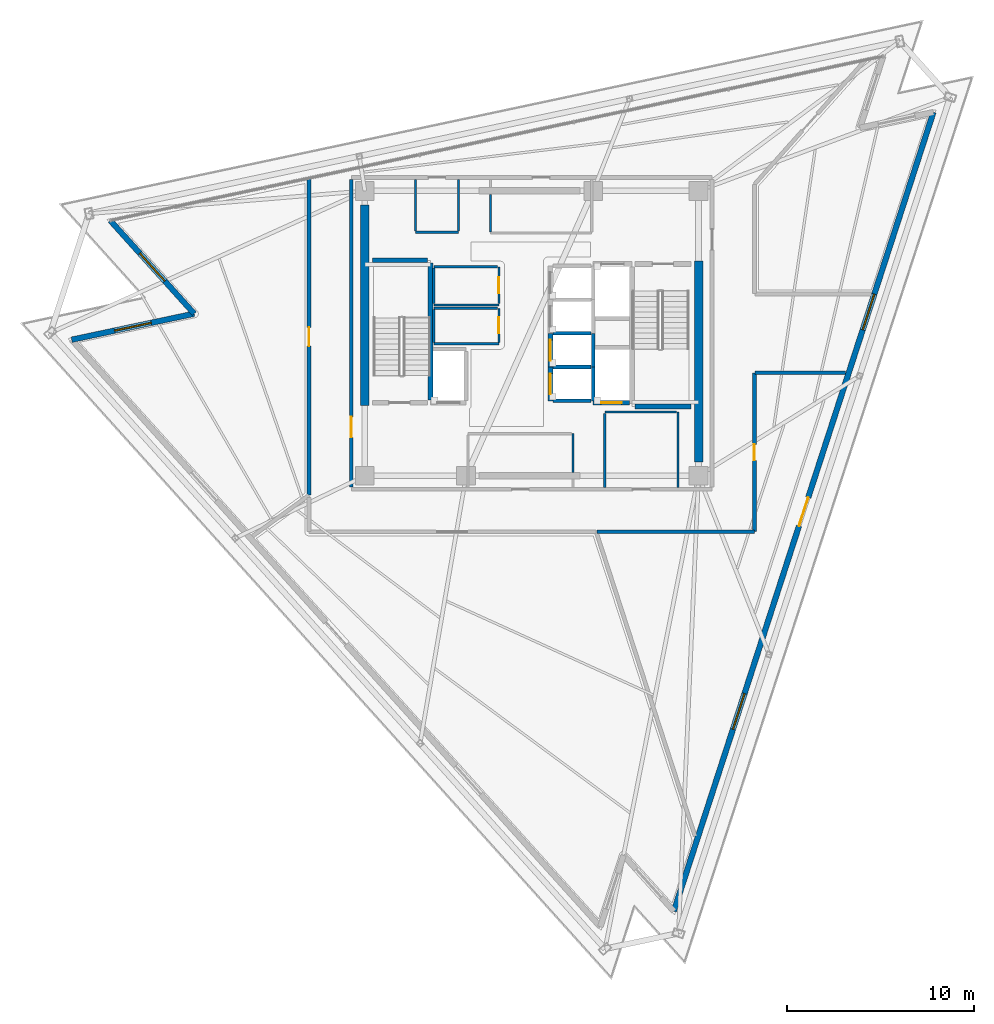
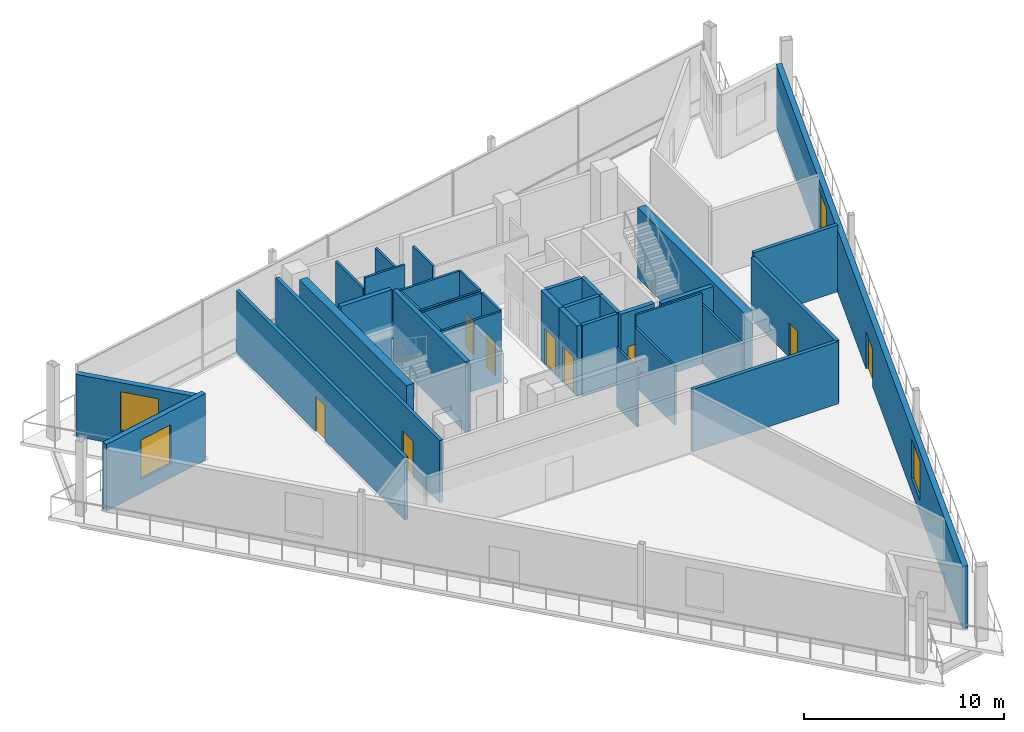
# One storey, part 7 of 11: 37 walls, 9 doors, 4 windows, 13 openings.
"""IFC4 building model written with IfcOpenShell, lengths in metres."""

import ifcopenshell
import ifcopenshell.guid

model = None  # the IFC model being written
_history = None  # IfcOwnerHistory: only IFC2X3 demands one
_inside = {}  # id of a spatial element -> (the spatial element, [elements in it])
_under = {}  # id of a project, library or spatial element -> (it, [spatial elements below it])
_declared = {}  # id of a project -> (the project, [libraries it declares])
_typed = {}  # id of a type object -> (the type object, [elements of that type])
_made_of = {}  # id of a material, layer set ... -> (it, [elements and type objects made of it])


def new_model(schema):
    """Start an empty IFC model of exactly this schema.

    Asked for "IFC4X3", IfcOpenShell would pick the latest addendum, in which some entities
    have other attributes; the version numbers below select the first issue.
    IFC2X3 requires an IfcOwnerHistory on every rooted entity: one is made here for all.
    """
    global model, _history
    if schema == "IFC4X3":
        model = ifcopenshell.file(schema_version=(4, 3, 0, 0))
    else:
        model = ifcopenshell.file(schema=schema)
    _inside.clear()
    _under.clear()
    _declared.clear()
    _typed.clear()
    _made_of.clear()
    _history = None
    if model.schema == "IFC2X3":
        org = make("IfcOrganization", Name="unknown")
        user = make(
            "IfcPersonAndOrganization",
            ThePerson=make("IfcPerson", FamilyName="unknown"),
            TheOrganization=org,
        )
        app = make(
            "IfcApplication",
            ApplicationDeveloper=org,
            Version="unknown",
            ApplicationFullName="unknown",
            ApplicationIdentifier="unknown",
        )
        _history = make(
            "IfcOwnerHistory",
            OwningUser=user,
            OwningApplication=app,
            ChangeAction="ADDED",
            CreationDate=0,
        )
    return model


def make(cls, **values):
    """One entity of the class cls with the attributes given. An attribute that is None is left unset."""
    return model.create_entity(
        cls, **{name: value for name, value in values.items() if value is not None}
    )


def rooted(cls, **values):
    """An entity with a GlobalId (a new one), such as an element, a storey or a relation."""
    return make(cls, GlobalId=ifcopenshell.guid.new(), OwnerHistory=_history, **values)


def si_unit(unit_type, name, prefix=None):
    """IfcSIUnit, for example si_unit("LENGTHUNIT", "METRE", prefix="MILLI")."""
    return make("IfcSIUnit", UnitType=unit_type, Prefix=prefix, Name=name)


def assignment(units):
    """IfcUnitAssignment: the units of a project."""
    return None if units is None else make("IfcUnitAssignment", Units=units)


def point(xyz):
    """IfcCartesianPoint."""
    return None if xyz is None else make("IfcCartesianPoint", Coordinates=xyz)


def direction(xyz):
    """IfcDirection."""
    return None if xyz is None else make("IfcDirection", DirectionRatios=xyz)


def frame(location, z_axis=None, x_axis=None):
    """IfcAxis2Placement3D, a coordinate frame: its origin and axes. An axis left out is left unset."""
    return make(
        "IfcAxis2Placement3D",
        Location=point(location),
        Axis=direction(z_axis),
        RefDirection=direction(x_axis),
    )


def frame_2d(location, x_axis=None):
    """IfcAxis2Placement2D, a coordinate frame in the plane: its origin and x axis."""
    return make(
        "IfcAxis2Placement2D", Location=point(location), RefDirection=direction(x_axis)
    )


def origin():
    """The frame at (0, 0, 0) with its axes left unset."""
    return frame((0.0, 0.0, 0.0))


def place(relative_to, where):
    """IfcLocalPlacement: puts the frame where relative to a parent placement (None: the world)."""
    return make(
        "IfcLocalPlacement", PlacementRelTo=relative_to, RelativePlacement=where
    )


def context(
    kind, dimensions, precision=None, world=None, true_north=None, identifier=None
):
    """IfcGeometricRepresentationContext, for example the 3D "Model" context."""
    return make(
        "IfcGeometricRepresentationContext",
        ContextIdentifier=identifier,
        ContextType=kind,
        CoordinateSpaceDimension=dimensions,
        Precision=precision,
        WorldCoordinateSystem=world,
        TrueNorth=true_north,
    )


def subcontext(parent, identifier, kind, view, scale=None):
    """IfcGeometricRepresentationSubContext, for example "Body" below "Model"."""
    return make(
        "IfcGeometricRepresentationSubContext",
        ContextIdentifier=identifier,
        ContextType=kind,
        ParentContext=parent,
        TargetScale=scale,
        TargetView=view,
    )


def project(units=None, contexts=None):
    """IfcProject with its units and contexts."""
    return rooted(
        "IfcProject",
        Name="project",
        RepresentationContexts=contexts,
        UnitsInContext=assignment(units),
    )


def spatial(cls, under=None, at=None, **own):
    """A site, building, storey or space (cls), placed at a placement, below another one or the project."""
    s = rooted(cls, ObjectPlacement=at, **own)
    if under is not None:
        _under.setdefault(under.id(), (under, []))[1].append(s)
    return s


def profile(cls, at=None, kind="AREA", **sizes):
    """A parametric profile (cls). Its sizes go by their IFC names, for example OverallWidth=200.0."""
    return make(cls, ProfileType=kind, Position=at, **sizes)


def rectangle(**sizes):
    """IfcRectangleProfileDef."""
    return profile("IfcRectangleProfileDef", **sizes)


def extrude(swept, where, along, depth):
    """IfcExtrudedAreaSolid: the profile swept, set in the frame where, extruded along a direction by depth."""
    return make(
        "IfcExtrudedAreaSolid",
        SweptArea=swept,
        Position=where,
        ExtrudedDirection=direction(along),
        Depth=depth,
    )


def shape(context_of_items, identifier, shape_type, items):
    """IfcShapeRepresentation: the items that make up one representation, for example the "Body"."""
    return make(
        "IfcShapeRepresentation",
        ContextOfItems=context_of_items,
        RepresentationIdentifier=identifier,
        RepresentationType=shape_type,
        Items=items,
    )


def material(Name=None, Category=None):
    """IfcMaterial."""
    return make("IfcMaterial", Name=Name, Category=Category)


def layer(
    of_material, thickness, ventilated=None, Name=None, Category=None, Priority=None
):
    """IfcMaterialLayer: one layer of a wall or slab, of a material (None: an air gap)."""
    return make(
        "IfcMaterialLayer",
        Material=of_material,
        LayerThickness=thickness,
        IsVentilated=ventilated,
        Name=Name,
        Category=Category,
        Priority=Priority,
    )


def layer_set(layers, Name=None):
    """IfcMaterialLayerSet."""
    return make("IfcMaterialLayerSet", MaterialLayers=layers, LayerSetName=Name)


def made_of(thing, what):
    """Note that an element or type object is made of a material, layer set ...; save() writes the relation."""
    if what is not None:
        _made_of.setdefault(what.id(), (what, []))[1].append(thing)
    return thing


def type_object(cls, material=None, **own):
    """A type object (cls), such as IfcWallType, which elements share."""
    return made_of(rooted(cls, **own), material)


def element(
    cls,
    number,
    at=None,
    inside=None,
    cuts=None,
    type_object=None,
    material=None,
    context=None,
    identifier="Body",
    shape_type=None,
    held_by="IfcProductDefinitionShape",
    body=None,
    shapes=None,
    **own,
):
    """One element of the class cls, such as IfcWall. Its Tag is "e" and its number.

    at: its placement. inside: the storey or other place that contains it. cuts: it is an
    opening in that element (IfcRelVoidsElement). A single representation is given by context,
    identifier, shape_type and body (its items); several are given by shapes. held_by: the class
    of the entity that holds the representations. save() writes the other relations.
    """
    e = rooted(cls, Tag="e%d" % number, ObjectPlacement=at, **own)
    if body is not None:
        shapes = [shape(context, identifier, shape_type, body)]
    if shapes is not None:
        e.Representation = make(held_by, Representations=shapes)
    if inside is not None:
        _inside.setdefault(inside.id(), (inside, []))[1].append(e)
    if cuts is not None:
        rooted(
            "IfcRelVoidsElement", RelatingBuildingElement=cuts, RelatedOpeningElement=e
        )
    if type_object is not None:
        _typed.setdefault(type_object.id(), (type_object, []))[1].append(e)
    return made_of(e, material)


def fill(opening, filler):
    """IfcRelFillsElement: the door or window that sits in an opening."""
    return rooted(
        "IfcRelFillsElement",
        RelatingOpeningElement=opening,
        RelatedBuildingElement=filler,
    )


def aggregate(whole, parts):
    """IfcRelAggregates: a whole, such as a stair, and the parts it consists of."""
    return rooted("IfcRelAggregates", RelatingObject=whole, RelatedObjects=parts)


def save(model, path):
    """Write the relations noted so far, then the file.

    IfcRelAggregates (storeys below a building ...), IfcRelContainedInSpatialStructure (elements
    in a storey), IfcRelDefinesByType, IfcRelAssociatesMaterial and IfcRelDeclares: one each for
    every whole, place, type object, material and project.
    """
    for whole, parts in _under.values():
        aggregate(whole, parts)
    for where, things in _inside.values():
        rooted(
            "IfcRelContainedInSpatialStructure",
            RelatedElements=things,
            RelatingStructure=where,
        )
    for kind, things in _typed.values():
        rooted("IfcRelDefinesByType", RelatedObjects=things, RelatingType=kind)
    for what, things in _made_of.values():
        rooted("IfcRelAssociatesMaterial", RelatedObjects=things, RelatingMaterial=what)
    for by, libraries in _declared.values():
        rooted("IfcRelDeclares", RelatingContext=by, RelatedDefinitions=libraries)
    model.write(path)


model = new_model("IFC4")

# Units and contexts
model_context = context("Model", 3, precision=1e-05, world=origin(), true_north=direction((0.0, 1.0)))
body_context = subcontext(model_context, "Body", "Model", "MODEL_VIEW")
ifc_project = project(units=[si_unit("LENGTHUNIT", "METRE"), si_unit("AREAUNIT", "SQUARE_METRE"), si_unit("VOLUMEUNIT", "CUBIC_METRE"), si_unit("PLANEANGLEUNIT", "RADIAN"), si_unit("MASSUNIT", "GRAM", prefix="KILO")], contexts=[model_context])

# Site, building, storey
site_placement = place(None, origin())
site = spatial("IfcSite", under=ifc_project, at=site_placement, CompositionType="ELEMENT")
building_placement = place(site_placement, origin())
building = spatial("IfcBuilding", under=site, at=building_placement, Name="Tharavind Bronze Gate", CompositionType="ELEMENT")
storey_placement = place(building_placement, frame((0.0, 0.0, 306.300048828125)))
storey = spatial("IfcBuildingStorey", under=building, at=storey_placement, Name="L79", CompositionType="ELEMENT", Elevation=306.300048828125)

# Wall, opening, window
ifc_material_1 = material(Name="Concrete C40/50", Category="concrete")
ifc_layer_1 = layer(ifc_material_1, 0.300048828125)
ifc_layer_set_1 = layer_set([ifc_layer_1], Name="Concrete C40/50")
wall_type_1 = type_object("IfcWallType", Name="EXTERIOR SPANDREL WALL 300", PredefinedType="STANDARD", material=ifc_layer_set_1)
wall_1_placement = place(storey_placement, frame((-22.47314453125, 6.013916015625, 0.0), z_axis=(0.0, 0.0, 1.0), x_axis=(0.669114139384, -0.743159652078, 0.0)))
wall_1 = element("IfcWall", 1, at=wall_1_placement, inside=storey, type_object=wall_type_1, Name="L79 notch cheek wall 1A", PredefinedType="STANDARD", context=body_context, shape_type="SweptSolid", body=[
    extrude(rectangle(XDim=6.68017578125, YDim=0.300048828125, at=frame_2d((3.340087890625, 0.0))), origin(), (0.0, 0.0, 1.0), 3.804931640625),
])
opening_1_placement = place(wall_1_placement, frame((2.340087890625, 0.0, 0.85009765625)))
opening_1 = element("IfcOpeningElement", 2, at=opening_1_placement, cuts=wall_1, Name="Opening W06", PredefinedType="OPENING", context=body_context, shape_type="SweptSolid", body=[
    extrude(rectangle(XDim=2.0, YDim=2.39990234375, at=frame_2d((1.0, 1.199951171875))), frame((0.0, 0.15990234375, 0.0), z_axis=(0.0, -1.0, 0.0), x_axis=(1.0, 0.0, 0.0)), (0.0, 0.0, 1.0), 0.320048828125),
])
ifc_material_2 = material(Name="Bronze Aluminium & Low-E Glass", Category="aluminium")
window_type = type_object("IfcWindowType", Name="CROWN OBSERVATORY WINDOW 2000X2400", PartitioningType="DOUBLE_PANEL_VERTICAL", PredefinedType="WINDOW", material=ifc_material_2)
window_1_placement = place(opening_1_placement, origin())
window_1 = element("IfcWindow", 3, at=window_1_placement, inside=storey, type_object=window_type, Name="L79 exterior window WL-L79-NCA1-01", OverallHeight=2.39990234375, OverallWidth=2.0, PartitioningType="SINGLE_PANEL", PredefinedType="WINDOW", context=body_context, shape_type="SweptSolid", body=[
    extrude(rectangle(XDim=2.0, YDim=2.39990234375, at=frame_2d((1.0, 1.199951171875))), frame((0.0, 0.030029296875, 0.0), z_axis=(0.0, -1.0, 0.0), x_axis=(1.0, 0.0, 0.0)), (0.0, 0.0, 1.0), 0.06005859375),
])
fill(opening_1, window_1)

wall_2_placement = place(storey_placement, frame((-18.00341796875, 1.049560546875, 0.0), z_axis=(0.0, 0.0, 1.0), x_axis=(-0.978152441183, -0.207888916992, 0.0)))
wall_2 = element("IfcWall", 4, at=wall_2_placement, inside=storey, type_object=wall_type_1, Name="L79 notch cheek wall 1B", PredefinedType="STANDARD", context=body_context, shape_type="SweptSolid", body=[
    extrude(rectangle(XDim=6.679931640625, YDim=0.300048828125, at=frame_2d((3.33984375, 0.0))), origin(), (0.0, 0.0, 1.0), 4.06494140625),
])
opening_2_placement = place(wall_2_placement, frame((2.340087890625, 0.0, 0.85009765625)))
opening_2 = element("IfcOpeningElement", 5, at=opening_2_placement, cuts=wall_2, Name="Opening W06", PredefinedType="OPENING", context=body_context, shape_type="SweptSolid", body=[
    extrude(rectangle(XDim=2.0, YDim=2.39990234375, at=frame_2d((1.0, 1.199951171875))), frame((0.0, 0.15990234375, 0.0), z_axis=(0.0, -1.0, 0.0), x_axis=(1.0, 0.0, 0.0)), (0.0, 0.0, 1.0), 0.320048828125),
])
window_2_placement = place(opening_2_placement, origin())
window_2 = element("IfcWindow", 6, at=window_2_placement, inside=storey, type_object=window_type, Name="L79 exterior window WL-L79-NCB1-01", OverallHeight=2.39990234375, OverallWidth=2.0, PartitioningType="SINGLE_PANEL", PredefinedType="WINDOW", context=body_context, shape_type="SweptSolid", body=[
    extrude(rectangle(XDim=2.0, YDim=2.39990234375, at=frame_2d((1.0, 1.199951171875))), frame((0.0, 0.030029296875, 0.0), z_axis=(0.0, -1.0, 0.0), x_axis=(1.0, 0.0, 0.0)), (0.0, 0.0, 1.0), 0.06005859375),
])
fill(opening_2, window_2)

# Wall, openings, windows, door
wall_3_placement = place(storey_placement, frame((7.579833984375, -30.82177734375, 0.0), z_axis=(0.0, 0.0, 1.0), x_axis=(0.309018932156, 0.95105588667, 0.0)))
wall_3 = element("IfcWall", 7, at=wall_3_placement, inside=storey, type_object=wall_type_1, Name="L79 observation deck portal wall 2", PredefinedType="STANDARD", context=body_context, shape_type="SweptSolid", body=[
    extrude(rectangle(XDim=44.811767578125, YDim=0.300048828125, at=frame_2d((22.40576171875, 0.0))), origin(), (0.0, 0.0, 1.0), 3.804931640625),
])
opening_3_placement = place(wall_3_placement, frame((21.60595703125, 0.0, 0.0)))
opening_3 = element("IfcOpeningElement", 8, at=opening_3_placement, cuts=wall_3, Name="Opening ED05", PredefinedType="OPENING", context=body_context, shape_type="SweptSolid", body=[
    extrude(rectangle(XDim=1.60009765625, YDim=2.300048828125, at=frame_2d((0.800048828125, 1.14990234375))), frame((0.0, 0.15990234375, 0.0), z_axis=(0.0, -1.0, 0.0), x_axis=(1.0, 0.0, 0.0)), (0.0, 0.0, 1.0), 0.320048828125),
])
opening_4_placement = place(wall_3_placement, frame((10.202880859375, 0.0, 0.85009765625)))
opening_4 = element("IfcOpeningElement", 9, at=opening_4_placement, cuts=wall_3, Name="Opening W06", PredefinedType="OPENING", context=body_context, shape_type="SweptSolid", body=[
    extrude(rectangle(XDim=2.0, YDim=2.39990234375, at=frame_2d((1.0, 1.199951171875))), frame((0.0, 0.15990234375, 0.0), z_axis=(0.0, -1.0, 0.0), x_axis=(1.0, 0.0, 0.0)), (0.0, 0.0, 1.0), 0.320048828125),
])
opening_5_placement = place(wall_3_placement, frame((32.60888671875, 0.0, 0.85009765625)))
opening_5 = element("IfcOpeningElement", 10, at=opening_5_placement, cuts=wall_3, Name="Opening W06", PredefinedType="OPENING", context=body_context, shape_type="SweptSolid", body=[
    extrude(rectangle(XDim=2.0, YDim=2.39990234375, at=frame_2d((1.0, 1.199951171875))), frame((0.0, 0.15990234375, 0.0), z_axis=(0.0, -1.0, 0.0), x_axis=(1.0, 0.0, 0.0)), (0.0, 0.0, 1.0), 0.320048828125),
])
window_3_placement = place(opening_4_placement, origin())
window_3 = element("IfcWindow", 11, at=window_3_placement, inside=storey, type_object=window_type, Name="L79 exterior window WL-L79-OBS2-01", OverallHeight=2.39990234375, OverallWidth=2.0, PartitioningType="SINGLE_PANEL", PredefinedType="WINDOW", context=body_context, shape_type="SweptSolid", body=[
    extrude(rectangle(XDim=2.0, YDim=2.39990234375, at=frame_2d((1.0, 1.199951171875))), frame((0.0, 0.030029296875, 0.0), z_axis=(0.0, -1.0, 0.0), x_axis=(1.0, 0.0, 0.0)), (0.0, 0.0, 1.0), 0.06005859375),
])
fill(opening_4, window_3)
window_4_placement = place(opening_5_placement, origin())
window_4 = element("IfcWindow", 12, at=window_4_placement, inside=storey, type_object=window_type, Name="L79 exterior window WL-L79-OBS2-03", OverallHeight=2.39990234375, OverallWidth=2.0, PartitioningType="SINGLE_PANEL", PredefinedType="WINDOW", context=body_context, shape_type="SweptSolid", body=[
    extrude(rectangle(XDim=2.0, YDim=2.39990234375, at=frame_2d((1.0, 1.199951171875))), frame((0.0, 0.030029296875, 0.0), z_axis=(0.0, -1.0, 0.0), x_axis=(1.0, 0.0, 0.0)), (0.0, 0.0, 1.0), 0.06005859375),
])
fill(opening_5, window_4)
ifc_material_3 = material(Name="Bronze Aluminium & Toughened Glass", Category="aluminium")
door_type_1 = type_object("IfcDoorType", Name="OBSERVATION DECK GLAZED DOOR 1600X2300", OperationType="DOUBLE_DOOR_SINGLE_SWING", PredefinedType="DOOR", material=ifc_material_3)
door_1_placement = place(opening_3_placement, frame((1.60009765625, 0.0, 0.0), z_axis=(0.0, 0.0, 1.0), x_axis=(-1.0, 0.0, 0.0)))
door_1 = element("IfcDoor", 13, at=door_1_placement, inside=storey, type_object=door_type_1, Name="L79 open-air observation deck exit door 2", OperationType="DOUBLE_DOOR_SINGLE_SWING", OverallHeight=2.300048828125, OverallWidth=1.60009765625, PredefinedType="DOOR", context=body_context, shape_type="SweptSolid", body=[
    extrude(rectangle(XDim=1.60009765625, YDim=2.300048828125, at=frame_2d((0.800048828125, 1.14990234375))), frame((0.0, 0.02490234375, 0.0), z_axis=(0.0, -1.0, 0.0), x_axis=(1.0, 0.0, 0.0)), (0.0, 0.0, 1.0), 0.050048828125),
])
fill(opening_3, door_1)

# Wall, opening, door
ifc_material_4 = material(Name="Aerated Concrete Block", Category="concrete")
ifc_layer_2 = layer(ifc_material_4, 0.199951171875)
ifc_layer_set_2 = layer_set([ifc_layer_2], Name="Aerated Concrete Block")
wall_type_2 = type_object("IfcWallType", Name="FIRE RATED PARTITION 200", PredefinedType="PARTITIONING", material=ifc_layer_set_2)
wall_4_placement = place(storey_placement, frame((-9.6201171875, 8.199951171875, 0.0), z_axis=(0.0, 0.0, 1.0), x_axis=(0.0, -1.0, 0.0)))
wall_4 = element("IfcWall", 14, at=wall_4_placement, inside=storey, type_object=wall_type_2, Name="L79 west core corridor wall", PredefinedType="PARTITIONING", context=body_context, shape_type="SweptSolid", body=[
    extrude(rectangle(XDim=16.39990234375, YDim=0.199951171875, at=frame_2d((8.199951171875, 0.0))), origin(), (0.0, 0.0, 1.0), 3.804931640625),
])
opening_6_placement = place(wall_4_placement, frame((12.64990234375, 0.0, 0.0)))
opening_6 = element("IfcOpeningElement", 15, at=opening_6_placement, cuts=wall_4, Name="Opening ID01", PredefinedType="OPENING", context=body_context, shape_type="SweptSolid", body=[
    extrude(rectangle(XDim=1.10009765625, YDim=2.14990234375, at=frame_2d((0.550048828125, 1.074951171875))), frame((0.0, 0.11009765625, 0.0), z_axis=(0.0, -1.0, 0.0), x_axis=(1.0, 0.0, 0.0)), (0.0, 0.0, 1.0), 0.219951171875),
])
ifc_material_5 = material(Name="Fire-Rated Steel", Category="steel")
door_type_2 = type_object("IfcDoorType", Name="STAIR CORE FIRE DOOR 1100X2150", OperationType="SINGLE_SWING_LEFT", PredefinedType="DOOR", material=ifc_material_5)
door_2_placement = place(opening_6_placement, frame((1.10009765625, 0.0, 0.0), z_axis=(0.0, 0.0, 1.0), x_axis=(-1.0, 0.0, 0.0)))
door_2 = element("IfcDoor", 16, at=door_2_placement, inside=storey, type_object=door_type_2, Name="L79 south west stair lobby fire door", OperationType="SINGLE_SWING_LEFT", OverallHeight=2.14990234375, OverallWidth=1.10009765625, PredefinedType="DOOR", context=body_context, shape_type="SweptSolid", body=[
    extrude(rectangle(XDim=1.10009765625, YDim=2.14990234375, at=frame_2d((0.550048828125, 1.074951171875))), frame((0.0, 0.02490234375, 0.0), z_axis=(0.0, -1.0, 0.0), x_axis=(1.0, 0.0, 0.0)), (0.0, 0.0, 1.0), 0.050048828125),
])
fill(opening_6, door_2)

# Wall
wall_5_placement = place(storey_placement, frame((3.47216796875, -10.580078125, 0.0), z_axis=(0.0, 0.0, 1.0), x_axis=(1.0, 0.0, 0.0)))
element("IfcWall", 17, at=wall_5_placement, inside=storey, type_object=wall_type_2, Name="L79 Public Restrooms Block partition", PredefinedType="PARTITIONING", context=body_context, shape_type="SweptSolid", body=[
    extrude(rectangle(XDim=8.4072265625, YDim=0.199951171875, at=frame_2d((4.20361328125, 0.0))), origin(), (0.0, 0.0, 1.0), 3.804931640625),
])

# Wall, opening, door
wall_6_placement = place(storey_placement, frame((11.8798828125, -10.579345703125, 0.0), z_axis=(0.0, 0.0, 1.0), x_axis=(0.0, 1.0, 0.0)))
wall_6 = element("IfcWall", 18, at=wall_6_placement, inside=storey, type_object=wall_type_2, Name="L79 Public Restrooms Block partition", PredefinedType="PARTITIONING", context=body_context, shape_type="SweptSolid", body=[
    extrude(rectangle(XDim=8.454345703125, YDim=0.199951171875, at=frame_2d((4.22705078125, 0.0))), origin(), (0.0, 0.0, 1.0), 3.804931640625),
])
opening_7_placement = place(wall_6_placement, frame((3.802001953125, 0.0, 0.0)))
opening_7 = element("IfcOpeningElement", 19, at=opening_7_placement, cuts=wall_6, Name="Opening ID06", PredefinedType="OPENING", context=body_context, shape_type="SweptSolid", body=[
    extrude(rectangle(XDim=0.85009765625, YDim=2.10009765625, at=frame_2d((0.425048828125, 1.050048828125))), frame((0.0, 0.11009765625, 0.0), z_axis=(0.0, -1.0, 0.0), x_axis=(1.0, 0.0, 0.0)), (0.0, 0.0, 1.0), 0.219951171875),
])
ifc_material_6 = material(Name="Moisture-Resistant Timber", Category="wood")
door_type_3 = type_object("IfcDoorType", Name="BATHROOM PRIVACY DOOR 850X2100", OperationType="SINGLE_SWING_RIGHT", PredefinedType="DOOR", material=ifc_material_6)
door_3_placement = place(opening_7_placement, origin())
door_3 = element("IfcDoor", 20, at=door_3_placement, inside=storey, type_object=door_type_3, Name="L79 Public Restrooms Block door", OperationType="SINGLE_SWING_RIGHT", OverallHeight=2.10009765625, OverallWidth=0.85009765625, PredefinedType="DOOR", context=body_context, shape_type="SweptSolid", body=[
    extrude(rectangle(XDim=0.85009765625, YDim=2.10009765625, at=frame_2d((0.425048828125, 1.050048828125))), frame((0.0, 0.02490234375, 0.0), z_axis=(0.0, -1.0, 0.0), x_axis=(1.0, 0.0, 0.0)), (0.0, 0.0, 1.0), 0.050048828125),
])
fill(opening_7, door_3)

# Wall
wall_7_placement = place(storey_placement, frame((11.905029296875, -2.10009765625, 0.0), z_axis=(0.0, 0.0, 1.0), x_axis=(1.0, 0.0, 0.0)))
element("IfcWall", 21, at=wall_7_placement, inside=storey, type_object=wall_type_2, Name="L79 Public Restrooms Block partition", PredefinedType="PARTITIONING", context=body_context, shape_type="SweptSolid", body=[
    extrude(rectangle(XDim=4.843994140625, YDim=0.199951171875, at=frame_2d((2.421875, 0.0))), origin(), (0.0, 0.0, 1.0), 4.06494140625),
])

# Wall, opening, door
wall_8_placement = place(storey_placement, frame((-11.8798828125, 8.265625, 0.0), z_axis=(0.0, 0.0, 1.0), x_axis=(0.0, -1.0, 0.0)))
wall_8 = element("IfcWall", 22, at=wall_8_placement, inside=storey, type_object=wall_type_2, Name="L79 Observatory Management Office partition", PredefinedType="PARTITIONING", context=body_context, shape_type="SweptSolid", body=[
    extrude(rectangle(XDim=16.88427734375, YDim=0.199951171875, at=frame_2d((8.442138671875, 0.0))), origin(), (0.0, 0.0, 1.0), 3.804931640625),
])
opening_8_placement = place(wall_8_placement, frame((7.94189453125, 0.0, 0.0)))
opening_8 = element("IfcOpeningElement", 23, at=opening_8_placement, cuts=wall_8, Name="Opening ID04", PredefinedType="OPENING", context=body_context, shape_type="SweptSolid", body=[
    extrude(rectangle(XDim=1.0, YDim=2.14990234375, at=frame_2d((0.5, 1.074951171875))), frame((0.0, 0.11009765625, 0.0), z_axis=(0.0, -1.0, 0.0), x_axis=(1.0, 0.0, 0.0)), (0.0, 0.0, 1.0), 0.219951171875),
])
ifc_material_7 = material(Name="Bronze Framed Acoustic Timber", Category="wood")
door_type_4 = type_object("IfcDoorType", Name="OFFICE TENANCY DOOR 1000X2150", OperationType="SINGLE_SWING_RIGHT", PredefinedType="DOOR", material=ifc_material_7)
door_4_placement = place(opening_8_placement, origin())
door_4 = element("IfcDoor", 24, at=door_4_placement, inside=storey, type_object=door_type_4, Name="L79 Observatory Management Office door", OperationType="SINGLE_SWING_RIGHT", OverallHeight=2.14990234375, OverallWidth=1.0, PredefinedType="DOOR", context=body_context, shape_type="SweptSolid", body=[
    extrude(rectangle(XDim=1.0, YDim=2.14990234375, at=frame_2d((0.5, 1.074951171875))), frame((0.0, 0.02490234375, 0.0), z_axis=(0.0, -1.0, 0.0), x_axis=(1.0, 0.0, 0.0)), (0.0, 0.0, 1.0), 0.050048828125),
])
fill(opening_8, door_4)

# Wall
ifc_material_8 = material(Name="Metal Stud Gypsum Partition", Category="gypsum")
ifc_layer_3 = layer(ifc_material_8, 0.1201171875)
ifc_layer_set_3 = layer_set([ifc_layer_3], Name="Metal Stud Gypsum Partition")
wall_type_3 = type_object("IfcWallType", Name="INTERIOR PARTITION WALL 120", PredefinedType="PARTITIONING", material=ifc_layer_set_3)
wall_9_placement = place(storey_placement, frame((-5.219970703125, 1.52001953125, 0.0), z_axis=(0.0, 0.0, 1.0), x_axis=(1.0, 0.0, 0.0)))
element("IfcWall", 25, at=wall_9_placement, inside=storey, type_object=wall_type_3, Name="L79 Cleaner Store Room partition 1", PredefinedType="PARTITIONING", context=body_context, shape_type="SweptSolid", body=[
    extrude(rectangle(XDim=3.469970703125, YDim=0.1201171875, at=frame_2d((1.73486328125, 0.0))), origin(), (0.0, 0.0, 1.0), 4.31005859375),
])

# Wall, opening, door
wall_10_placement = place(storey_placement, frame((-1.75, 1.5849609375, 0.0), z_axis=(0.0, 0.0, 1.0), x_axis=(0.0, 1.0, 0.0)))
wall_10 = element("IfcWall", 26, at=wall_10_placement, inside=storey, type_object=wall_type_3, Name="L79 Cleaner Store Room partition 2", PredefinedType="PARTITIONING", context=body_context, shape_type="SweptSolid", body=[
    extrude(rectangle(XDim=1.965087890625, YDim=0.1201171875, at=frame_2d((0.982421875, 0.0))), origin(), (0.0, 0.0, 1.0), 4.31005859375),
])
opening_9_placement = place(wall_10_placement, frame((0.556884765625, 0.0, 0.0)))
opening_9 = element("IfcOpeningElement", 27, at=opening_9_placement, cuts=wall_10, Name="Opening ID06", PredefinedType="OPENING", context=body_context, shape_type="SweptSolid", body=[
    extrude(rectangle(XDim=0.85009765625, YDim=2.10009765625, at=frame_2d((0.425048828125, 1.050048828125))), frame((0.0, 0.07005859375, 0.0), z_axis=(0.0, -1.0, 0.0), x_axis=(1.0, 0.0, 0.0)), (0.0, 0.0, 1.0), 0.1401171875),
])
door_5_placement = place(opening_9_placement, frame((0.85009765625, 0.0, 0.0), z_axis=(0.0, 0.0, 1.0), x_axis=(-1.0, 0.0, 0.0)))
door_5 = element("IfcDoor", 28, at=door_5_placement, inside=storey, type_object=door_type_3, Name="L79 Cleaner Store Room door", OperationType="SINGLE_SWING_RIGHT", OverallHeight=2.10009765625, OverallWidth=0.85009765625, PredefinedType="DOOR", context=body_context, shape_type="SweptSolid", body=[
    extrude(rectangle(XDim=0.85009765625, YDim=2.10009765625, at=frame_2d((0.425048828125, 1.050048828125))), frame((0.0, 0.02490234375, 0.0), z_axis=(0.0, -1.0, 0.0), x_axis=(1.0, 0.0, 0.0)), (0.0, 0.0, 1.0), 0.050048828125),
])
fill(opening_9, door_5)

# Walls
wall_11_placement = place(storey_placement, frame((-1.81494140625, 3.550048828125, 0.0), z_axis=(0.0, 0.0, 1.0), x_axis=(-1.0, 0.0, 0.0)))
element("IfcWall", 29, at=wall_11_placement, inside=storey, type_object=wall_type_3, Name="L79 Cleaner Store Room partition 3", PredefinedType="PARTITIONING", context=body_context, shape_type="SweptSolid", body=[
    extrude(rectangle(XDim=3.405029296875, YDim=0.1201171875, at=frame_2d((1.70263671875, 0.0))), origin(), (0.0, 0.0, 1.0), 4.31005859375),
])
wall_12_placement = place(storey_placement, frame((-5.219970703125, 3.485107421875, 0.0), z_axis=(0.0, 0.0, 1.0), x_axis=(0.0, -1.0, 0.0)))
element("IfcWall", 30, at=wall_12_placement, inside=storey, type_object=wall_type_3, Name="L79 Cleaner Store Room partition 4", PredefinedType="PARTITIONING", context=body_context, shape_type="SweptSolid", body=[
    extrude(rectangle(XDim=1.900146484375, YDim=0.1201171875, at=frame_2d((0.9501953125, 0.0))), origin(), (0.0, 0.0, 1.0), 4.31005859375),
])
wall_13_placement = place(storey_placement, frame((-5.219970703125, -0.550048828125, 0.0), z_axis=(0.0, 0.0, 1.0), x_axis=(1.0, 0.0, 0.0)))
element("IfcWall", 31, at=wall_13_placement, inside=storey, type_object=wall_type_3, Name="L79 Electrical Switch Room partition 1", PredefinedType="PARTITIONING", context=body_context, shape_type="SweptSolid", body=[
    extrude(rectangle(XDim=3.469970703125, YDim=0.1201171875, at=frame_2d((1.73486328125, 0.0))), origin(), (0.0, 0.0, 1.0), 4.31005859375),
])

# Wall, opening, door
wall_14_placement = place(storey_placement, frame((-1.75, -0.485107421875, 0.0), z_axis=(0.0, 0.0, 1.0), x_axis=(0.0, 1.0, 0.0)))
wall_14 = element("IfcWall", 32, at=wall_14_placement, inside=storey, type_object=wall_type_3, Name="L79 Electrical Switch Room partition 2", PredefinedType="PARTITIONING", context=body_context, shape_type="SweptSolid", body=[
    extrude(rectangle(XDim=1.8251953125, YDim=0.1201171875, at=frame_2d((0.91259765625, 0.0))), origin(), (0.0, 0.0, 1.0), 4.31005859375),
])
opening_10_placement = place(wall_14_placement, frame((0.488037109375, 0.0, 0.0)))
opening_10 = element("IfcOpeningElement", 33, at=opening_10_placement, cuts=wall_14, Name="Opening ID06", PredefinedType="OPENING", context=body_context, shape_type="SweptSolid", body=[
    extrude(rectangle(XDim=0.85009765625, YDim=2.10009765625, at=frame_2d((0.425048828125, 1.050048828125))), frame((0.0, 0.07005859375, 0.0), z_axis=(0.0, -1.0, 0.0), x_axis=(1.0, 0.0, 0.0)), (0.0, 0.0, 1.0), 0.1401171875),
])
door_6_placement = place(opening_10_placement, frame((0.85009765625, 0.0, 0.0), z_axis=(0.0, 0.0, 1.0), x_axis=(-1.0, 0.0, 0.0)))
door_6 = element("IfcDoor", 34, at=door_6_placement, inside=storey, type_object=door_type_3, Name="L79 Electrical Switch Room door", OperationType="SINGLE_SWING_RIGHT", OverallHeight=2.10009765625, OverallWidth=0.85009765625, PredefinedType="DOOR", context=body_context, shape_type="SweptSolid", body=[
    extrude(rectangle(XDim=0.85009765625, YDim=2.10009765625, at=frame_2d((0.425048828125, 1.050048828125))), frame((0.0, 0.02490234375, 0.0), z_axis=(0.0, -1.0, 0.0), x_axis=(1.0, 0.0, 0.0)), (0.0, 0.0, 1.0), 0.050048828125),
])
fill(opening_10, door_6)

# Walls
wall_15_placement = place(storey_placement, frame((-1.81494140625, 1.340087890625, 0.0), z_axis=(0.0, 0.0, 1.0), x_axis=(-1.0, 0.0, 0.0)))
element("IfcWall", 35, at=wall_15_placement, inside=storey, type_object=wall_type_3, Name="L79 Electrical Switch Room partition 3", PredefinedType="PARTITIONING", context=body_context, shape_type="SweptSolid", body=[
    extrude(rectangle(XDim=3.405029296875, YDim=0.1201171875, at=frame_2d((1.70263671875, 0.0))), origin(), (0.0, 0.0, 1.0), 4.31005859375),
])
wall_16_placement = place(storey_placement, frame((-5.219970703125, 1.27490234375, 0.0), z_axis=(0.0, 0.0, 1.0), x_axis=(0.0, -1.0, 0.0)))
element("IfcWall", 36, at=wall_16_placement, inside=storey, type_object=wall_type_3, Name="L79 Electrical Switch Room partition 4", PredefinedType="PARTITIONING", context=body_context, shape_type="SweptSolid", body=[
    extrude(rectangle(XDim=1.760009765625, YDim=0.1201171875, at=frame_2d((0.8798828125, 0.0))), origin(), (0.0, 0.0, 1.0), 4.31005859375),
])
wall_17_placement = place(storey_placement, frame((2.199951171875, -7.419921875, 0.0), z_axis=(0.0, 0.0, 1.0), x_axis=(0.0, 1.0, 0.0)))
element("IfcWall", 37, at=wall_17_placement, inside=storey, type_object=wall_type_3, Name="L79 Core BMS Control Room partition 2", PredefinedType="PARTITIONING", context=body_context, shape_type="SweptSolid", body=[
    extrude(rectangle(XDim=2.06982421875, YDim=0.1201171875, at=frame_2d((1.034912109375, 0.0))), origin(), (0.0, 0.0, 1.0), 3.60498046875),
])
wall_18_placement = place(storey_placement, frame((-2.199951171875, 7.419921875, 0.0), z_axis=(0.0, 0.0, 1.0), x_axis=(0.0, -1.0, 0.0)))
element("IfcWall", 38, at=wall_18_placement, inside=storey, type_object=wall_type_3, Name="L79 Core Avionics Room partition 4", PredefinedType="PARTITIONING", context=body_context, shape_type="SweptSolid", body=[
    extrude(rectangle(XDim=2.0048828125, YDim=0.1201171875, at=frame_2d((1.00244140625, 0.0))), origin(), (0.0, 0.0, 1.0), 3.60498046875),
])
wall_19_placement = place(storey_placement, frame((-6.199951171875, 5.39990234375, 0.0), z_axis=(0.0, 0.0, 1.0), x_axis=(1.0, 0.0, 0.0)))
element("IfcWall", 39, at=wall_19_placement, inside=storey, type_object=wall_type_3, Name="L79 Electrical Switch Cupboard partition 1", PredefinedType="PARTITIONING", context=body_context, shape_type="SweptSolid", body=[
    extrude(rectangle(XDim=2.300048828125, YDim=0.1201171875, at=frame_2d((1.14990234375, 0.0))), origin(), (0.0, 0.0, 1.0), 4.31005859375),
])
for number, where, z_axis, x_axis, name in (
    (40, (-3.89990234375, 5.465087890625, 0.0), (0.0, 0.0, 1.0), (0.0, 1.0, 0.0), "L79 Electrical Switch Cupboard partition 2"),
    (41, (-6.199951171875, 8.215087890625, 0.0), (0.0, 0.0, 1.0), (0.0, -1.0, 0.0), "L79 Electrical Switch Cupboard partition 4"),
):
    element("IfcWall", number, at=place(storey_placement, frame(where, z_axis=z_axis, x_axis=x_axis)), inside=storey, type_object=wall_type_3, Name=name, PredefinedType="PARTITIONING", context=body_context, shape_type="SweptSolid", body=[
        extrude(rectangle(XDim=2.75, YDim=0.1201171875, at=frame_2d((1.375, 0.0))), origin(), (0.0, 0.0, 1.0), 3.60498046875),
    ])
wall_20_placement = place(storey_placement, frame((7.800048828125, -8.215087890625, 0.0), z_axis=(0.0, 0.0, 1.0), x_axis=(0.0, 1.0, 0.0)))
element("IfcWall", 42, at=wall_20_placement, inside=storey, type_object=wall_type_3, Name="L79 Telecom Metering Room partition 2", PredefinedType="PARTITIONING", context=body_context, shape_type="SweptSolid", body=[
    extrude(rectangle(XDim=4.01513671875, YDim=0.1201171875, at=frame_2d((2.007568359375, 0.0))), origin(), (0.0, 0.0, 1.0), 3.60498046875),
])
wall_21_placement = place(storey_placement, frame((7.735107421875, -4.199951171875, 0.0), z_axis=(0.0, 0.0, 1.0), x_axis=(-1.0, 0.0, 0.0)))
element("IfcWall", 43, at=wall_21_placement, inside=storey, type_object=wall_type_3, Name="L79 Telecom Metering Room partition 3", PredefinedType="PARTITIONING", context=body_context, shape_type="SweptSolid", body=[
    extrude(rectangle(XDim=3.835205078125, YDim=0.1201171875, at=frame_2d((1.91748046875, 0.0))), origin(), (0.0, 0.0, 1.0), 4.31005859375),
])
wall_22_placement = place(storey_placement, frame((3.89990234375, -4.264892578125, 0.0), z_axis=(0.0, 0.0, 1.0), x_axis=(0.0, -1.0, 0.0)))
element("IfcWall", 44, at=wall_22_placement, inside=storey, type_object=wall_type_3, Name="L79 Telecom Metering Room partition 4", PredefinedType="PARTITIONING", context=body_context, shape_type="SweptSolid", body=[
    extrude(rectangle(XDim=3.9501953125, YDim=0.1201171875, at=frame_2d((1.97509765625, 0.0))), origin(), (0.0, 0.0, 1.0), 3.60498046875),
])
ifc_material_9 = material(Name="Concrete C50/60", Category="concrete")
ifc_layer_4 = layer(ifc_material_9, 0.25)
ifc_layer_set_4 = layer_set([ifc_layer_4], Name="Concrete C50/60")
wall_type_4 = type_object("IfcWallType", Name="RC CORE SHEAR WALL 250", PredefinedType="SHEAR", material=ifc_layer_set_4)
wall_23_placement = place(storey_placement, frame((-5.39990234375, -3.550048828125, 0.0), z_axis=(0.0, 0.0, 1.0), x_axis=(0.0, 1.0, 0.0)))
element("IfcWall", 45, at=wall_23_placement, inside=storey, type_object=wall_type_4, Name="L79 ST1 shaft east wall", PredefinedType="SHEAR", context=body_context, shape_type="SweptSolid", body=[
    extrude(rectangle(XDim=7.300048828125, YDim=0.25, at=frame_2d((3.64990234375, 0.0))), origin(), (0.0, 0.0, 1.0), 4.31005859375),
])
wall_24_placement = place(storey_placement, frame((-8.5, 3.89990234375, 0.0), z_axis=(0.0, 0.0, 1.0), x_axis=(1.0, 0.0, 0.0)))
element("IfcWall", 46, at=wall_24_placement, inside=storey, type_object=wall_type_4, Name="L79 ST1 shaft north wall", PredefinedType="SHEAR", context=body_context, shape_type="SweptSolid", body=[
    extrude(rectangle(XDim=2.949951171875, YDim=0.25, at=frame_2d((1.47509765625, 0.0))), origin(), (0.0, 0.0, 1.0), 4.31005859375),
])
wall_25_placement = place(storey_placement, frame((5.5, -3.89990234375, 0.0), z_axis=(0.0, 0.0, 1.0), x_axis=(1.0, 0.0, 0.0)))
element("IfcWall", 47, at=wall_25_placement, inside=storey, type_object=wall_type_4, Name="L79 ST2 shaft south wall", PredefinedType="SHEAR", context=body_context, shape_type="SweptSolid", body=[
    extrude(rectangle(XDim=3.0, YDim=0.25, at=frame_2d((1.5, 0.0))), origin(), (0.0, 0.0, 1.0), 4.31005859375),
])

# Wall, opening, door
wall_26_placement = place(storey_placement, frame((1.0, -3.60009765625, 0.0), z_axis=(0.0, 0.0, 1.0), x_axis=(0.0, 1.0, 0.0)))
wall_26 = element("IfcWall", 48, at=wall_26_placement, inside=storey, type_object=wall_type_4, Name="L79 lift PL9 shaft front wall", PredefinedType="SHEAR", context=body_context, shape_type="SweptSolid", body=[
    extrude(rectangle(XDim=1.800048828125, YDim=0.25, at=frame_2d((0.89990234375, 0.0))), origin(), (0.0, 0.0, 1.0), 4.31005859375),
])
opening_11_placement = place(wall_26_placement, frame((0.35009765625, 0.0, 0.0)))
opening_11 = element("IfcOpeningElement", 49, at=opening_11_placement, cuts=wall_26, Name="Opening LD01", PredefinedType="OPENING", context=body_context, shape_type="SweptSolid", body=[
    extrude(rectangle(XDim=1.10009765625, YDim=2.199951171875, at=frame_2d((0.550048828125, 1.10009765625))), frame((0.0, 0.135, 0.0), z_axis=(0.0, -1.0, 0.0), x_axis=(1.0, 0.0, 0.0)), (0.0, 0.0, 1.0), 0.27),
])
ifc_material_10 = material(Name="Brushed Bronze Stainless Steel", Category="steel")
door_type_5 = type_object("IfcDoorType", Name="LIFT LANDING SLIDING DOOR 1100X2200", OperationType="SLIDING_TO_LEFT", PredefinedType="DOOR", material=ifc_material_10)
door_7_placement = place(opening_11_placement, origin())
door_7 = element("IfcDoor", 50, at=door_7_placement, inside=storey, type_object=door_type_5, Name="L79 lift PL9 sliding landing door", OperationType="SLIDING_TO_LEFT", OverallHeight=2.199951171875, OverallWidth=1.10009765625, PredefinedType="DOOR", context=body_context, shape_type="SweptSolid", body=[
    extrude(rectangle(XDim=1.10009765625, YDim=2.199951171875, at=frame_2d((0.550048828125, 1.10009765625))), frame((0.0, 0.02490234375, 0.0), z_axis=(0.0, -1.0, 0.0), x_axis=(1.0, 0.0, 0.0)), (0.0, 0.0, 1.0), 0.050048828125),
])
fill(opening_11, door_7)

wall_27_placement = place(storey_placement, frame((1.0, -1.800048828125, 0.0), z_axis=(0.0, 0.0, 1.0), x_axis=(0.0, 1.0, 0.0)))
wall_27 = element("IfcWall", 51, at=wall_27_placement, inside=storey, type_object=wall_type_4, Name="L79 lift PL10 shaft front wall", PredefinedType="SHEAR", context=body_context, shape_type="SweptSolid", body=[
    extrude(rectangle(XDim=1.800048828125, YDim=0.25, at=frame_2d((0.89990234375, 0.0))), origin(), (0.0, 0.0, 1.0), 4.31005859375),
])
opening_12_placement = place(wall_27_placement, frame((0.35009765625, 0.0, 0.0)))
opening_12 = element("IfcOpeningElement", 52, at=opening_12_placement, cuts=wall_27, Name="Opening LD01", PredefinedType="OPENING", context=body_context, shape_type="SweptSolid", body=[
    extrude(rectangle(XDim=1.10009765625, YDim=2.199951171875, at=frame_2d((0.550048828125, 1.10009765625))), frame((0.0, 0.135, 0.0), z_axis=(0.0, -1.0, 0.0), x_axis=(1.0, 0.0, 0.0)), (0.0, 0.0, 1.0), 0.27),
])
door_8_placement = place(opening_12_placement, origin())
door_8 = element("IfcDoor", 53, at=door_8_placement, inside=storey, type_object=door_type_5, Name="L79 lift PL10 sliding landing door", OperationType="SLIDING_TO_LEFT", OverallHeight=2.199951171875, OverallWidth=1.10009765625, PredefinedType="DOOR", context=body_context, shape_type="SweptSolid", body=[
    extrude(rectangle(XDim=1.10009765625, YDim=2.199951171875, at=frame_2d((0.550048828125, 1.10009765625))), frame((0.0, 0.02490234375, 0.0), z_axis=(0.0, -1.0, 0.0), x_axis=(1.0, 0.0, 0.0)), (0.0, 0.0, 1.0), 0.050048828125),
])
fill(opening_12, door_8)

wall_28_placement = place(storey_placement, frame((3.280029296875, -3.699951171875, 0.0), z_axis=(0.0, 0.0, 1.0), x_axis=(1.0, 0.0, 0.0)))
wall_28 = element("IfcWall", 54, at=wall_28_placement, inside=storey, type_object=wall_type_4, Name="L79 lift SVL1 shaft front wall", PredefinedType="SHEAR", context=body_context, shape_type="SweptSolid", body=[
    extrude(rectangle(XDim=1.93994140625, YDim=0.25, at=frame_2d((0.969970703125, 0.0))), origin(), (0.0, 0.0, 1.0), 4.31005859375),
])
opening_13_placement = place(wall_28_placement, frame((0.419921875, 0.0, 0.0)))
opening_13 = element("IfcOpeningElement", 55, at=opening_13_placement, cuts=wall_28, Name="Opening LD01", PredefinedType="OPENING", context=body_context, shape_type="SweptSolid", body=[
    extrude(rectangle(XDim=1.10009765625, YDim=2.199951171875, at=frame_2d((0.550048828125, 1.10009765625))), frame((0.0, 0.135, 0.0), z_axis=(0.0, -1.0, 0.0), x_axis=(1.0, 0.0, 0.0)), (0.0, 0.0, 1.0), 0.27),
])
door_9_placement = place(opening_13_placement, origin())
door_9 = element("IfcDoor", 56, at=door_9_placement, inside=storey, type_object=door_type_5, Name="L79 lift SVL1 sliding landing door", OperationType="SLIDING_TO_LEFT", OverallHeight=2.199951171875, OverallWidth=1.10009765625, PredefinedType="DOOR", context=body_context, shape_type="SweptSolid", body=[
    extrude(rectangle(XDim=1.10009765625, YDim=2.199951171875, at=frame_2d((0.550048828125, 1.10009765625))), frame((0.0, 0.02490234375, 0.0), z_axis=(0.0, -1.0, 0.0), x_axis=(1.0, 0.0, 0.0)), (0.0, 0.0, 1.0), 0.050048828125),
])
fill(opening_13, door_9)

# Walls
ifc_material_11 = material(Name="Concrete C60/75", Category="concrete")
ifc_layer_5 = layer(ifc_material_11, 0.449951171875)
ifc_layer_set_5 = layer_set([ifc_layer_5], Name="Concrete C60/75")
wall_type_5 = type_object("IfcWallType", Name="RC CORE SHEAR WALL 450", PredefinedType="SHEAR", material=ifc_layer_set_5)
for number, where, z_axis, x_axis, name in (
    (57, (-8.89990234375, -3.85009765625, 0.0), (0.0, 0.0, 1.0), (0.0, 1.0, 0.0), "L79 west core shear wall"),
    (58, (8.89990234375, -6.85009765625, 0.0), (0.0, 0.0, 1.0), (0.0, 1.0, 0.0), "L79 east core shear wall"),
):
    element("IfcWall", number, at=place(storey_placement, frame(where, z_axis=z_axis, x_axis=x_axis)), inside=storey, type_object=wall_type_5, Name=name, PredefinedType="SHEAR", context=body_context, shape_type="SweptSolid", body=[
        extrude(rectangle(XDim=10.7001953125, YDim=0.449951171875, at=frame_2d((5.35009765625, 0.0))), origin(), (0.0, 0.0, 1.0), 4.31005859375),
    ])
ifc_layer_6 = layer(ifc_material_1, 0.199951171875)
ifc_layer_set_6 = layer_set([ifc_layer_6], Name="Concrete C40/50")
wall_type_6 = type_object("IfcWallType", Name="SHAFT ENCLOSURE WALL 200", PredefinedType="PARTITIONING", material=ifc_layer_set_6)
wall_29_placement = place(storey_placement, frame((3.280029296875, -3.60009765625, 0.0), z_axis=(0.0, 0.0, 1.0), x_axis=(0.0, 1.0, 0.0)))
element("IfcWall", 59, at=wall_29_placement, inside=storey, type_object=wall_type_6, Name="L79 lift PL9 shaft E enclosure wall", PredefinedType="PARTITIONING", context=body_context, shape_type="SweptSolid", body=[
    extrude(rectangle(XDim=1.800048828125, YDim=0.199951171875, at=frame_2d((0.89990234375, 0.0))), origin(), (0.0, 0.0, 1.0), 4.31005859375),
])
for number, where, z_axis, x_axis, name in (
    (60, (1.1298828125, -3.60009765625, 0.0), (0.0, 0.0, 1.0), (1.0, 0.0, 0.0), "L79 lift PL9 shaft S enclosure wall"),
    (61, (1.1298828125, -1.800048828125, 0.0), (0.0, 0.0, 1.0), (1.0, 0.0, 0.0), "L79 lift PL9 shaft N enclosure wall"),
):
    element("IfcWall", number, at=place(storey_placement, frame(where, z_axis=z_axis, x_axis=x_axis)), inside=storey, type_object=wall_type_6, Name=name, PredefinedType="PARTITIONING", context=body_context, shape_type="SweptSolid", body=[
        extrude(rectangle(XDim=2.045166015625, YDim=0.199951171875, at=frame_2d((1.0224609375, 0.0))), origin(), (0.0, 0.0, 1.0), 4.31005859375),
    ])
wall_30_placement = place(storey_placement, frame((3.280029296875, -1.800048828125, 0.0), z_axis=(0.0, 0.0, 1.0), x_axis=(0.0, 1.0, 0.0)))
element("IfcWall", 62, at=wall_30_placement, inside=storey, type_object=wall_type_6, Name="L79 lift PL10 shaft E enclosure wall", PredefinedType="PARTITIONING", context=body_context, shape_type="SweptSolid", body=[
    extrude(rectangle(XDim=1.800048828125, YDim=0.199951171875, at=frame_2d((0.89990234375, 0.0))), origin(), (0.0, 0.0, 1.0), 4.31005859375),
])
wall_31_placement = place(storey_placement, frame((1.1298828125, 0.0, 0.0), z_axis=(0.0, 0.0, 1.0), x_axis=(1.0, 0.0, 0.0)))
element("IfcWall", 63, at=wall_31_placement, inside=storey, type_object=wall_type_6, Name="L79 lift PL10 shaft N enclosure wall", PredefinedType="PARTITIONING", context=body_context, shape_type="SweptSolid", body=[
    extrude(rectangle(XDim=2.045166015625, YDim=0.199951171875, at=frame_2d((1.0224609375, 0.0))), origin(), (0.0, 0.0, 1.0), 4.31005859375),
])

save(model, "model.ifc")
